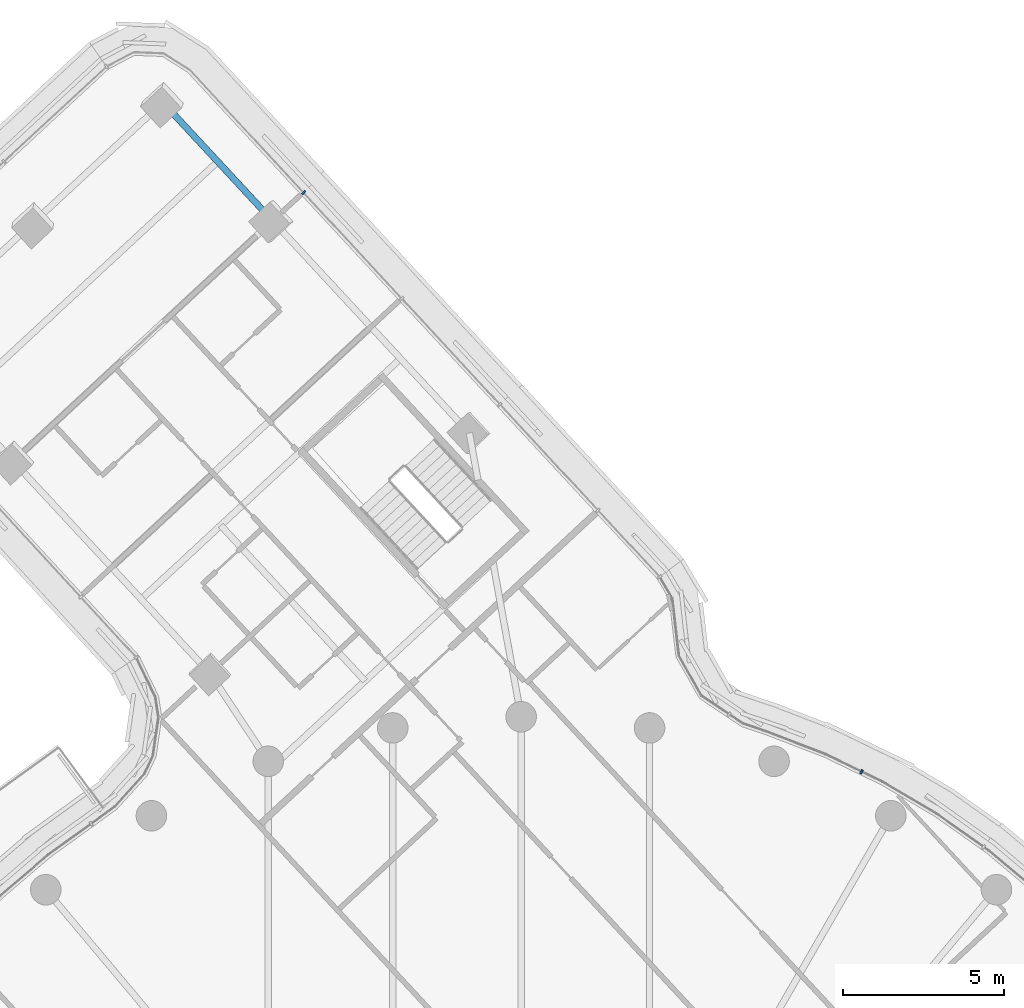
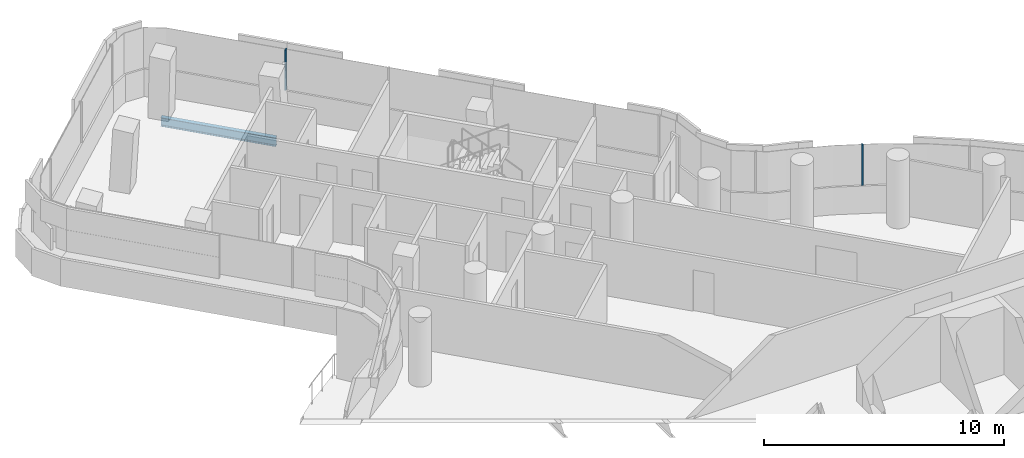
# One storey, part 17 of 34: 2 members, 1 beam, 2 elements without a shape of their own.
"""IFC4 building model written with IfcOpenShell, lengths in metres."""

from ifc_helpers import new_model, si_unit, direction, frame, origin, origin_2d, place, context, subcontext, project, spatial, rectangle, i_section, extrude, material, layer, layer_set, material_profile, profile_set, type_object, element, aggregate, save


model = new_model("IFC4")

# Units and contexts
model_context = context("Model", 3, precision=1e-05, world=origin(), true_north=direction((0.0, 1.0)))
body_context = subcontext(model_context, "Body", "Model", "MODEL_VIEW")
ifc_project = project(units=[si_unit("LENGTHUNIT", "METRE"), si_unit("AREAUNIT", "SQUARE_METRE"), si_unit("VOLUMEUNIT", "CUBIC_METRE"), si_unit("PLANEANGLEUNIT", "RADIAN"), si_unit("MASSUNIT", "GRAM", prefix="KILO")], contexts=[model_context])

# Site, building, storey
site_placement = place(None, origin())
site = spatial("IfcSite", under=ifc_project, at=site_placement, CompositionType="ELEMENT")
building_placement = place(site_placement, origin())
building = spatial("IfcBuilding", under=site, at=building_placement, Name="Tamarind Cross Interchange Tower", CompositionType="ELEMENT")
storey_placement = place(building_placement, frame((0.0, 0.0, 189.699951171875)))
storey = spatial("IfcBuildingStorey", under=building, at=storey_placement, Name="L47", CompositionType="ELEMENT", Elevation=189.699951171875)

# Beam
ifc_material_1 = material(Name="Steel Q355B", Category="steel")
ifc_material_profile_1 = material_profile(ifc_material_1, i_section(OverallWidth=0.198974609375, OverallDepth=0.446044921875, WebThickness=0.008056640625, FlangeThickness=0.011962890625, FilletRadius=0.012939453125, at=origin_2d()), Name="HN 446x199x8x12")
ifc_profile_set_1 = profile_set([ifc_material_profile_1], Name="Steel Q355B")
beam_type = type_object("IfcBeamType", Name="Composite beam HN 446x199x8x12 Q355B", PredefinedType="BEAM", material=ifc_profile_set_1)
beam_placement = place(storey_placement, frame((-11.1416015625, 42.10546875, -0.363037109375), z_axis=(0.679919112762, -0.733287119824, 0.0), x_axis=(0.733287119824, 0.679919112762, 0.0)))
element("IfcBeam", 1, at=beam_placement, inside=storey, type_object=beam_type, Name="Beam N-edgeem5", PredefinedType="BEAM", context=body_context, shape_type="SweptSolid", body=[
    extrude(i_section(OverallWidth=0.198974609375, OverallDepth=0.446044921875, WebThickness=0.008056640625, FlangeThickness=0.011962890625, FilletRadius=0.012939453125, at=origin_2d()), origin(), (0.0, 0.0, 1.0), 5.018310546875),
])

# Curtain wall, member
ifc_material_2 = material(Name="Aluminium 6063-T6", Category="aluminium")
ifc_layer = layer(ifc_material_2, 0.139892578125)
ifc_layer_set = layer_set([ifc_layer], Name="Aluminium 6063-T6")
curtain_wall_type = type_object("IfcCurtainWallType", Name="Hotel curtain wall, 4.5 m bays", PredefinedType="NOTDEFINED", material=ifc_layer_set)
curtain_wall_1_placement = place(storey_placement, origin())
curtain_wall_1 = element("IfcCurtainWall", 2, at=curtain_wall_1_placement, inside=storey, type_object=curtain_wall_type, Name="CWS-L47-02", PredefinedType="NOTDEFINED")
ifc_material_profile_2 = material_profile(ifc_material_2, rectangle(XDim=0.06005859375, YDim=0.139892578125, at=origin_2d()), Name="Mullion CW2")
ifc_profile_set_2 = profile_set([ifc_material_profile_2], Name="Aluminium 6063-T6")
member_type = type_object("IfcMemberType", Name="Mullion CW2", PredefinedType="MULLION", material=ifc_profile_set_2)
member_1_placement = place(storey_placement, frame((10.5888671875, 21.288818359375, 1.400146484375), z_axis=(0.0, 0.0, 1.0), x_axis=(-0.900272776334, 0.435326231914, 0.0)))
member_1 = element("IfcMember", 3, at=member_1_placement, type_object=member_type, Name="CWM-L47-02-12", PredefinedType="MULLION", context=body_context, shape_type="SweptSolid", body=[
    extrude(rectangle(XDim=0.06005859375, YDim=0.139892578125, at=origin_2d()), origin(), (0.0, 0.0, 1.0), 2.059814453125),
])
aggregate(curtain_wall_1, [member_1])

curtain_wall_2_placement = place(storey_placement, origin())
curtain_wall_2 = element("IfcCurtainWall", 4, at=curtain_wall_2_placement, inside=storey, type_object=curtain_wall_type, Name="CWS-L47-03", PredefinedType="NOTDEFINED")
member_2_placement = place(storey_placement, frame((-6.76611328125, 39.298583984375, 1.400146484375), z_axis=(0.0, 0.0, 1.0), x_axis=(-0.679912424958, 0.73329332084, 0.0)))
member_2 = element("IfcMember", 5, at=member_2_placement, type_object=member_type, Name="CWM-L47-03-04", PredefinedType="MULLION", context=body_context, shape_type="SweptSolid", body=[
    extrude(rectangle(XDim=0.06005859375, YDim=0.139892578125, at=origin_2d()), origin(), (0.0, 0.0, 1.0), 2.059814453125),
])
aggregate(curtain_wall_2, [member_2])

save(model, "model.ifc")
